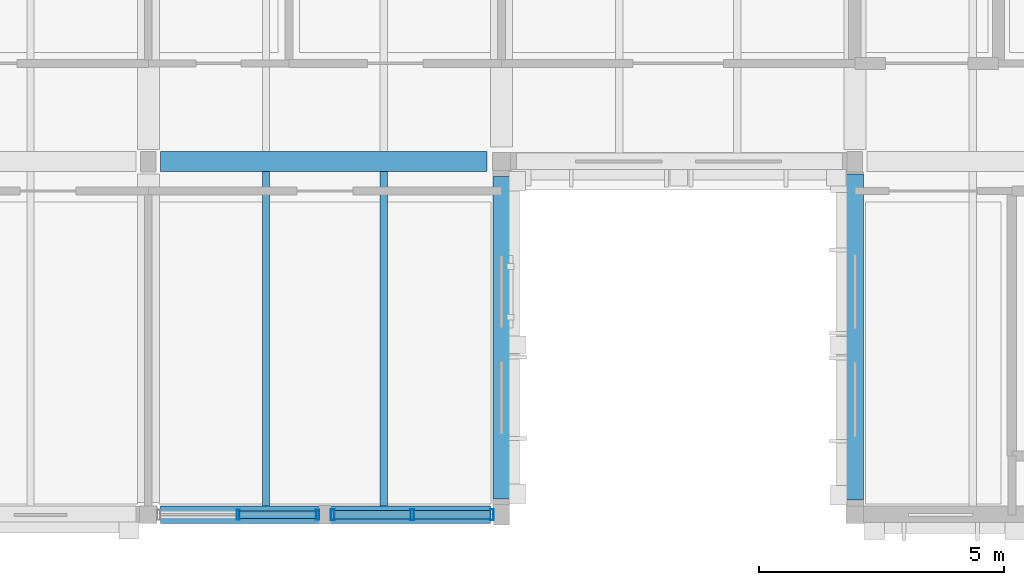
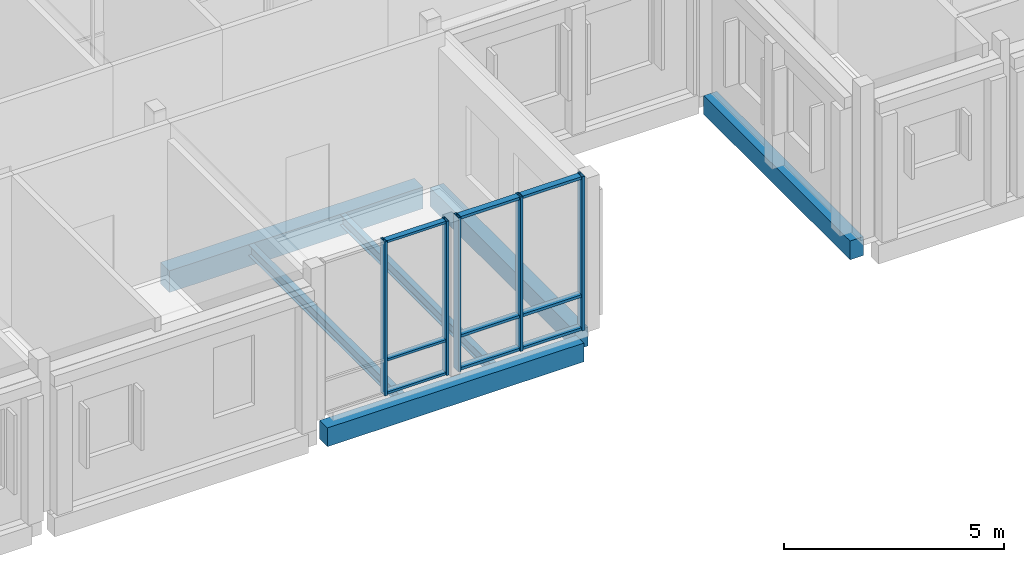
# One storey, part 28 of 146: 14 members, 6 beams, 2 elements without a shape of their own.
"""IFC4 building model written with IfcOpenShell, lengths in metres."""

import ifcopenshell
import ifcopenshell.guid

model = None  # the IFC model being written
_history = None  # IfcOwnerHistory: only IFC2X3 demands one
_inside = {}  # id of a spatial element -> (the spatial element, [elements in it])
_under = {}  # id of a project, library or spatial element -> (it, [spatial elements below it])
_declared = {}  # id of a project -> (the project, [libraries it declares])
_typed = {}  # id of a type object -> (the type object, [elements of that type])
_made_of = {}  # id of a material, layer set ... -> (it, [elements and type objects made of it])


def new_model(schema):
    """Start an empty IFC model of exactly this schema.

    Asked for "IFC4X3", IfcOpenShell would pick the latest addendum, in which some entities
    have other attributes; the version numbers below select the first issue.
    IFC2X3 requires an IfcOwnerHistory on every rooted entity: one is made here for all.
    """
    global model, _history
    if schema == "IFC4X3":
        model = ifcopenshell.file(schema_version=(4, 3, 0, 0))
    else:
        model = ifcopenshell.file(schema=schema)
    _inside.clear()
    _under.clear()
    _declared.clear()
    _typed.clear()
    _made_of.clear()
    _history = None
    if model.schema == "IFC2X3":
        org = make("IfcOrganization", Name="unknown")
        user = make(
            "IfcPersonAndOrganization",
            ThePerson=make("IfcPerson", FamilyName="unknown"),
            TheOrganization=org,
        )
        app = make(
            "IfcApplication",
            ApplicationDeveloper=org,
            Version="unknown",
            ApplicationFullName="unknown",
            ApplicationIdentifier="unknown",
        )
        _history = make(
            "IfcOwnerHistory",
            OwningUser=user,
            OwningApplication=app,
            ChangeAction="ADDED",
            CreationDate=0,
        )
    return model


def make(cls, **values):
    """One entity of the class cls with the attributes given. An attribute that is None is left unset."""
    return model.create_entity(
        cls, **{name: value for name, value in values.items() if value is not None}
    )


def rooted(cls, **values):
    """An entity with a GlobalId (a new one), such as an element, a storey or a relation."""
    return make(cls, GlobalId=ifcopenshell.guid.new(), OwnerHistory=_history, **values)


def si_unit(unit_type, name, prefix=None):
    """IfcSIUnit, for example si_unit("LENGTHUNIT", "METRE", prefix="MILLI")."""
    return make("IfcSIUnit", UnitType=unit_type, Prefix=prefix, Name=name)


def assignment(units):
    """IfcUnitAssignment: the units of a project."""
    return None if units is None else make("IfcUnitAssignment", Units=units)


def point(xyz):
    """IfcCartesianPoint."""
    return None if xyz is None else make("IfcCartesianPoint", Coordinates=xyz)


def direction(xyz):
    """IfcDirection."""
    return None if xyz is None else make("IfcDirection", DirectionRatios=xyz)


def frame(location, z_axis=None, x_axis=None):
    """IfcAxis2Placement3D, a coordinate frame: its origin and axes. An axis left out is left unset."""
    return make(
        "IfcAxis2Placement3D",
        Location=point(location),
        Axis=direction(z_axis),
        RefDirection=direction(x_axis),
    )


def frame_2d(location, x_axis=None):
    """IfcAxis2Placement2D, a coordinate frame in the plane: its origin and x axis."""
    return make(
        "IfcAxis2Placement2D", Location=point(location), RefDirection=direction(x_axis)
    )


def origin():
    """The frame at (0, 0, 0) with its axes left unset."""
    return frame((0.0, 0.0, 0.0))


def origin_2d():
    """The frame at (0, 0) in the plane with its x axis left unset."""
    return frame_2d((0.0, 0.0))


def place(relative_to, where):
    """IfcLocalPlacement: puts the frame where relative to a parent placement (None: the world)."""
    return make(
        "IfcLocalPlacement", PlacementRelTo=relative_to, RelativePlacement=where
    )


def context(
    kind, dimensions, precision=None, world=None, true_north=None, identifier=None
):
    """IfcGeometricRepresentationContext, for example the 3D "Model" context."""
    return make(
        "IfcGeometricRepresentationContext",
        ContextIdentifier=identifier,
        ContextType=kind,
        CoordinateSpaceDimension=dimensions,
        Precision=precision,
        WorldCoordinateSystem=world,
        TrueNorth=true_north,
    )


def subcontext(parent, identifier, kind, view, scale=None):
    """IfcGeometricRepresentationSubContext, for example "Body" below "Model"."""
    return make(
        "IfcGeometricRepresentationSubContext",
        ContextIdentifier=identifier,
        ContextType=kind,
        ParentContext=parent,
        TargetScale=scale,
        TargetView=view,
    )


def project(units=None, contexts=None):
    """IfcProject with its units and contexts."""
    return rooted(
        "IfcProject",
        Name="project",
        RepresentationContexts=contexts,
        UnitsInContext=assignment(units),
    )


def spatial(cls, under=None, at=None, **own):
    """A site, building, storey or space (cls), placed at a placement, below another one or the project."""
    s = rooted(cls, ObjectPlacement=at, **own)
    if under is not None:
        _under.setdefault(under.id(), (under, []))[1].append(s)
    return s


def profile(cls, at=None, kind="AREA", **sizes):
    """A parametric profile (cls). Its sizes go by their IFC names, for example OverallWidth=200.0."""
    return make(cls, ProfileType=kind, Position=at, **sizes)


def rectangle(**sizes):
    """IfcRectangleProfileDef."""
    return profile("IfcRectangleProfileDef", **sizes)


def hollow_rectangle(**sizes):
    """IfcRectangleHollowProfileDef."""
    return profile("IfcRectangleHollowProfileDef", **sizes)


def i_section(**sizes):
    """IfcIShapeProfileDef."""
    return profile("IfcIShapeProfileDef", **sizes)


def extrude(swept, where, along, depth):
    """IfcExtrudedAreaSolid: the profile swept, set in the frame where, extruded along a direction by depth."""
    return make(
        "IfcExtrudedAreaSolid",
        SweptArea=swept,
        Position=where,
        ExtrudedDirection=direction(along),
        Depth=depth,
    )


def shape(context_of_items, identifier, shape_type, items):
    """IfcShapeRepresentation: the items that make up one representation, for example the "Body"."""
    return make(
        "IfcShapeRepresentation",
        ContextOfItems=context_of_items,
        RepresentationIdentifier=identifier,
        RepresentationType=shape_type,
        Items=items,
    )


def material(Name=None, Category=None):
    """IfcMaterial."""
    return make("IfcMaterial", Name=Name, Category=Category)


def material_profile(
    of_material, cross_section, Name=None, Category=None, Priority=None
):
    """IfcMaterialProfile: a cross section and its material."""
    return make(
        "IfcMaterialProfile",
        Name=Name,
        Material=of_material,
        Profile=cross_section,
        Priority=Priority,
        Category=Category,
    )


def profile_set(profiles, Name=None, composite=None):
    """IfcMaterialProfileSet."""
    return make(
        "IfcMaterialProfileSet",
        Name=Name,
        MaterialProfiles=profiles,
        CompositeProfile=composite,
    )


def made_of(thing, what):
    """Note that an element or type object is made of a material, layer set ...; save() writes the relation."""
    if what is not None:
        _made_of.setdefault(what.id(), (what, []))[1].append(thing)
    return thing


def type_object(cls, material=None, **own):
    """A type object (cls), such as IfcWallType, which elements share."""
    return made_of(rooted(cls, **own), material)


def element(
    cls,
    number,
    at=None,
    inside=None,
    cuts=None,
    type_object=None,
    material=None,
    context=None,
    identifier="Body",
    shape_type=None,
    held_by="IfcProductDefinitionShape",
    body=None,
    shapes=None,
    **own,
):
    """One element of the class cls, such as IfcWall. Its Tag is "e" and its number.

    at: its placement. inside: the storey or other place that contains it. cuts: it is an
    opening in that element (IfcRelVoidsElement). A single representation is given by context,
    identifier, shape_type and body (its items); several are given by shapes. held_by: the class
    of the entity that holds the representations. save() writes the other relations.
    """
    e = rooted(cls, Tag="e%d" % number, ObjectPlacement=at, **own)
    if body is not None:
        shapes = [shape(context, identifier, shape_type, body)]
    if shapes is not None:
        e.Representation = make(held_by, Representations=shapes)
    if inside is not None:
        _inside.setdefault(inside.id(), (inside, []))[1].append(e)
    if cuts is not None:
        rooted(
            "IfcRelVoidsElement", RelatingBuildingElement=cuts, RelatedOpeningElement=e
        )
    if type_object is not None:
        _typed.setdefault(type_object.id(), (type_object, []))[1].append(e)
    return made_of(e, material)


def aggregate(whole, parts):
    """IfcRelAggregates: a whole, such as a stair, and the parts it consists of."""
    return rooted("IfcRelAggregates", RelatingObject=whole, RelatedObjects=parts)


def save(model, path):
    """Write the relations noted so far, then the file.

    IfcRelAggregates (storeys below a building ...), IfcRelContainedInSpatialStructure (elements
    in a storey), IfcRelDefinesByType, IfcRelAssociatesMaterial and IfcRelDeclares: one each for
    every whole, place, type object, material and project.
    """
    for whole, parts in _under.values():
        aggregate(whole, parts)
    for where, things in _inside.values():
        rooted(
            "IfcRelContainedInSpatialStructure",
            RelatedElements=things,
            RelatingStructure=where,
        )
    for kind, things in _typed.values():
        rooted("IfcRelDefinesByType", RelatedObjects=things, RelatingType=kind)
    for what, things in _made_of.values():
        rooted("IfcRelAssociatesMaterial", RelatedObjects=things, RelatingMaterial=what)
    for by, libraries in _declared.values():
        rooted("IfcRelDeclares", RelatingContext=by, RelatedDefinitions=libraries)
    model.write(path)


model = new_model("IFC4")

# Units and contexts
model_context = context("Model", 3, precision=1e-05, world=origin(), true_north=direction((0.0, 1.0)))
body_context = subcontext(model_context, "Body", "Model", "MODEL_VIEW")
ifc_project = project(units=[si_unit("LENGTHUNIT", "METRE"), si_unit("AREAUNIT", "SQUARE_METRE"), si_unit("VOLUMEUNIT", "CUBIC_METRE"), si_unit("PLANEANGLEUNIT", "RADIAN"), si_unit("MASSUNIT", "GRAM", prefix="KILO")], contexts=[model_context])

# Site, building, storey
site_placement = place(None, origin())
site = spatial("IfcSite", under=ifc_project, at=site_placement, CompositionType="ELEMENT")
building_placement = place(site_placement, origin())
building = spatial("IfcBuilding", under=site, at=building_placement, Name="Hawrajan Terrace Health Centre", CompositionType="ELEMENT")
storey_placement = place(building_placement, frame((0.0, 0.0, 4.5)))
storey = spatial("IfcBuildingStorey", under=building, at=storey_placement, Name="L01", CompositionType="ELEMENT", Elevation=4.5)

# Curtain wall, members
ifc_material_1 = material(Name="Anodized bronze aluminium and low-E solar glazing", Category="aluminium")
curtain_wall_type_1 = type_object("IfcCurtainWallType", Name="CW_Pavilion_SeriesE2", PredefinedType="USERDEFINED", material=ifc_material_1)
curtain_wall_1_placement = place(storey_placement, origin())
curtain_wall_1 = element("IfcCurtainWall", 1, at=curtain_wall_1_placement, inside=storey, type_object=curtain_wall_type_1, Name="Curtain wall CW-L01-061", ObjectType="UNITISED CURTAIN WALL", PredefinedType="USERDEFINED")
ifc_material_2 = material(Name="Anodized bronze aluminium 6063-T6", Category="aluminium")
ifc_material_profile_1 = material_profile(ifc_material_2, hollow_rectangle(XDim=0.06494140625, YDim=0.199951171875, WallThickness=0.00439453125, at=origin_2d()), Name="CW MUL 65x200")
ifc_profile_set_1 = profile_set([ifc_material_profile_1], Name="Anodized bronze aluminium 6063-T6")
member_type_1 = type_object("IfcMemberType", Name="CWMullion_65x200", PredefinedType="MULLION", material=ifc_profile_set_1)
member_1_placement = place(storey_placement, frame((35.22998046875, 4.199951171875, -0.0048828125), z_axis=(0.0, 0.0, 1.0), x_axis=(1.0, 0.0, 0.0)))
member_1 = element("IfcMember", 2, at=member_1_placement, type_object=member_type_1, Name="Mullion CW-L01-061-M2", PredefinedType="MULLION", context=body_context, shape_type="SweptSolid", body=[
    extrude(hollow_rectangle(XDim=0.06494140625, YDim=0.199951171875, WallThickness=0.00439453125, at=origin_2d()), origin(), (0.0, 0.0, 1.0), 4.269775390625),
])
member_2_placement = place(storey_placement, frame((36.847412109375, 4.199951171875, -0.0048828125), z_axis=(0.0, 0.0, 1.0), x_axis=(1.0, 0.0, 0.0)))
member_2 = element("IfcMember", 3, at=member_2_placement, type_object=member_type_1, Name="Mullion CW-L01-061-M3", PredefinedType="MULLION", context=body_context, shape_type="SweptSolid", body=[
    extrude(hollow_rectangle(XDim=0.06494140625, YDim=0.199951171875, WallThickness=0.00439453125, at=origin_2d()), origin(), (0.0, 0.0, 1.0), 4.269775390625),
])

curtain_wall_type_2 = type_object("IfcCurtainWallType", Name="CW_Garden_SeriesF1", PredefinedType="USERDEFINED", material=ifc_material_1)
curtain_wall_2_placement = place(storey_placement, origin())
curtain_wall_2 = element("IfcCurtainWall", 4, at=curtain_wall_2_placement, inside=storey, type_object=curtain_wall_type_2, Name="Curtain wall CW-L01-062", ObjectType="UNITISED CURTAIN WALL", PredefinedType="USERDEFINED")
ifc_material_profile_2 = material_profile(ifc_material_2, hollow_rectangle(XDim=0.074951171875, YDim=0.219970703125, WallThickness=0.0048828125, at=origin_2d()), Name="CW MUL 75x220")
ifc_profile_set_2 = profile_set([ifc_material_profile_2], Name="Anodized bronze aluminium 6063-T6")
member_type_2 = type_object("IfcMemberType", Name="CWMullion_75x220", PredefinedType="MULLION", material=ifc_profile_set_2)
member_3_placement = place(storey_placement, frame((37.157470703125, 4.199951171875, -0.0048828125), z_axis=(0.0, 0.0, 1.0), x_axis=(1.0, 0.0, 0.0)))
member_3 = element("IfcMember", 5, at=member_3_placement, type_object=member_type_2, Name="Mullion CW-L01-062-M1", PredefinedType="MULLION", context=body_context, shape_type="SweptSolid", body=[
    extrude(hollow_rectangle(XDim=0.074951171875, YDim=0.219970703125, WallThickness=0.0048828125, at=origin_2d()), origin(), (0.0, 0.0, 1.0), 4.269775390625),
])
member_4_placement = place(storey_placement, frame((38.780029296875, 4.199951171875, -0.0048828125), z_axis=(0.0, 0.0, 1.0), x_axis=(1.0, 0.0, 0.0)))
member_4 = element("IfcMember", 6, at=member_4_placement, type_object=member_type_2, Name="Mullion CW-L01-062-M2", PredefinedType="MULLION", context=body_context, shape_type="SweptSolid", body=[
    extrude(hollow_rectangle(XDim=0.074951171875, YDim=0.219970703125, WallThickness=0.0048828125, at=origin_2d()), origin(), (0.0, 0.0, 1.0), 4.269775390625),
])
member_5_placement = place(storey_placement, frame((40.402587890625, 4.199951171875, -0.0048828125), z_axis=(0.0, 0.0, 1.0), x_axis=(1.0, 0.0, 0.0)))
member_5 = element("IfcMember", 7, at=member_5_placement, type_object=member_type_2, Name="Mullion CW-L01-062-M3", PredefinedType="MULLION", context=body_context, shape_type="SweptSolid", body=[
    extrude(hollow_rectangle(XDim=0.074951171875, YDim=0.219970703125, WallThickness=0.0048828125, at=origin_2d()), origin(), (0.0, 0.0, 1.0), 4.269775390625),
])

# Member
ifc_material_profile_3 = material_profile(ifc_material_2, hollow_rectangle(XDim=0.06494140625, YDim=0.14990234375, WallThickness=0.00390625, at=origin_2d()), Name="CW TRN 65x150")
ifc_profile_set_3 = profile_set([ifc_material_profile_3], Name="Anodized bronze aluminium 6063-T6")
member_type_3 = type_object("IfcMemberType", Name="CWTransom_65x150", PredefinedType="USERDEFINED", material=ifc_profile_set_3)
member_6_placement = place(storey_placement, frame((35.256591796875, 4.199951171875, 0.032470703125), z_axis=(1.0, 0.0, 0.0), x_axis=(0.0, 0.0, 1.0)))
member_6 = element("IfcMember", 8, at=member_6_placement, type_object=member_type_3, Name="Transom CW-L01-061-T2-1", ObjectType="TRANSOM", PredefinedType="USERDEFINED", context=body_context, shape_type="SweptSolid", body=[
    extrude(hollow_rectangle(XDim=0.06494140625, YDim=0.14990234375, WallThickness=0.00390625, at=origin_2d()), origin(), (0.0, 0.0, 1.0), 1.564453125),
])

member_7_placement = place(storey_placement, frame((35.256591796875, 4.199951171875, 0.949951171875), z_axis=(1.0, 0.0, 0.0), x_axis=(0.0, 0.0, 1.0)))
member_7 = element("IfcMember", 9, at=member_7_placement, type_object=member_type_3, Name="Transom CW-L01-061-T2-2", ObjectType="TRANSOM", PredefinedType="USERDEFINED", context=body_context, shape_type="SweptSolid", body=[
    extrude(hollow_rectangle(XDim=0.06494140625, YDim=0.14990234375, WallThickness=0.00390625, at=origin_2d()), origin(), (0.0, 0.0, 1.0), 1.564453125),
])

member_8_placement = place(storey_placement, frame((35.256591796875, 4.199951171875, 4.2275390625), z_axis=(1.0, 0.0, 0.0), x_axis=(0.0, 0.0, 1.0)))
member_8 = element("IfcMember", 10, at=member_8_placement, type_object=member_type_3, Name="Transom CW-L01-061-T2-3", ObjectType="TRANSOM", PredefinedType="USERDEFINED", context=body_context, shape_type="SweptSolid", body=[
    extrude(hollow_rectangle(XDim=0.06494140625, YDim=0.14990234375, WallThickness=0.00390625, at=origin_2d()), origin(), (0.0, 0.0, 1.0), 1.564453125),
])

aggregate(curtain_wall_1, [member_1, member_2, member_6, member_7, member_8])

ifc_material_profile_4 = material_profile(ifc_material_2, hollow_rectangle(XDim=0.074951171875, YDim=0.169921875, WallThickness=0.00439453125, at=origin_2d()), Name="CW TRN 75x170")
ifc_profile_set_4 = profile_set([ifc_material_profile_4], Name="Anodized bronze aluminium 6063-T6")
member_type_4 = type_object("IfcMemberType", Name="CWTransom_75x170", PredefinedType="USERDEFINED", material=ifc_profile_set_4)
member_9_placement = place(storey_placement, frame((37.18896484375, 4.199951171875, 0.03759765625), z_axis=(1.0, 0.0, 0.0), x_axis=(0.0, 0.0, 1.0)))
member_9 = element("IfcMember", 11, at=member_9_placement, type_object=member_type_4, Name="Transom CW-L01-062-T1-1", ObjectType="TRANSOM", PredefinedType="USERDEFINED", context=body_context, shape_type="SweptSolid", body=[
    extrude(hollow_rectangle(XDim=0.074951171875, YDim=0.169921875, WallThickness=0.00439453125, at=origin_2d()), origin(), (0.0, 0.0, 1.0), 1.5595703125),
])

member_10_placement = place(storey_placement, frame((37.18896484375, 4.199951171875, 0.949951171875), z_axis=(1.0, 0.0, 0.0), x_axis=(0.0, 0.0, 1.0)))
member_10 = element("IfcMember", 12, at=member_10_placement, type_object=member_type_4, Name="Transom CW-L01-062-T1-2", ObjectType="TRANSOM", PredefinedType="USERDEFINED", context=body_context, shape_type="SweptSolid", body=[
    extrude(hollow_rectangle(XDim=0.074951171875, YDim=0.169921875, WallThickness=0.00439453125, at=origin_2d()), origin(), (0.0, 0.0, 1.0), 1.5595703125),
])

member_11_placement = place(storey_placement, frame((37.18896484375, 4.199951171875, 4.222412109375), z_axis=(1.0, 0.0, 0.0), x_axis=(0.0, 0.0, 1.0)))
member_11 = element("IfcMember", 13, at=member_11_placement, type_object=member_type_4, Name="Transom CW-L01-062-T1-3", ObjectType="TRANSOM", PredefinedType="USERDEFINED", context=body_context, shape_type="SweptSolid", body=[
    extrude(hollow_rectangle(XDim=0.074951171875, YDim=0.169921875, WallThickness=0.00439453125, at=origin_2d()), origin(), (0.0, 0.0, 1.0), 1.5595703125),
])

member_12_placement = place(storey_placement, frame((38.8115234375, 4.199951171875, 0.03759765625), z_axis=(1.0, 0.0, 0.0), x_axis=(0.0, 0.0, 1.0)))
member_12 = element("IfcMember", 14, at=member_12_placement, type_object=member_type_4, Name="Transom CW-L01-062-T2-1", ObjectType="TRANSOM", PredefinedType="USERDEFINED", context=body_context, shape_type="SweptSolid", body=[
    extrude(hollow_rectangle(XDim=0.074951171875, YDim=0.169921875, WallThickness=0.00439453125, at=origin_2d()), origin(), (0.0, 0.0, 1.0), 1.5595703125),
])

member_13_placement = place(storey_placement, frame((38.8115234375, 4.199951171875, 0.949951171875), z_axis=(1.0, 0.0, 0.0), x_axis=(0.0, 0.0, 1.0)))
member_13 = element("IfcMember", 15, at=member_13_placement, type_object=member_type_4, Name="Transom CW-L01-062-T2-2", ObjectType="TRANSOM", PredefinedType="USERDEFINED", context=body_context, shape_type="SweptSolid", body=[
    extrude(hollow_rectangle(XDim=0.074951171875, YDim=0.169921875, WallThickness=0.00439453125, at=origin_2d()), origin(), (0.0, 0.0, 1.0), 1.5595703125),
])

member_14_placement = place(storey_placement, frame((38.8115234375, 4.199951171875, 4.222412109375), z_axis=(1.0, 0.0, 0.0), x_axis=(0.0, 0.0, 1.0)))
member_14 = element("IfcMember", 16, at=member_14_placement, type_object=member_type_4, Name="Transom CW-L01-062-T2-3", ObjectType="TRANSOM", PredefinedType="USERDEFINED", context=body_context, shape_type="SweptSolid", body=[
    extrude(hollow_rectangle(XDim=0.074951171875, YDim=0.169921875, WallThickness=0.00439453125, at=origin_2d()), origin(), (0.0, 0.0, 1.0), 1.5595703125),
])

aggregate(curtain_wall_2, [member_3, member_4, member_5, member_9, member_10, member_11, member_12, member_13, member_14])

# Beams
ifc_material_3 = material(Name="Concrete C40/50", Category="concrete")
ifc_material_profile_5 = material_profile(ifc_material_3, rectangle(XDim=0.39990234375, YDim=0.60009765625, at=origin_2d()), Name="RC BM 400x600")
ifc_profile_set_5 = profile_set([ifc_material_profile_5], Name="Concrete C40/50")
beam_type_1 = type_object("IfcBeamType", Name="RCGirder_400x600", PredefinedType="BEAM", material=ifc_profile_set_5)
beam_1_placement = place(storey_placement, frame((33.64990234375, 11.39990234375, -0.60009765625), z_axis=(1.0, 0.0, 0.0), x_axis=(0.0, 1.0, 0.0)))
element("IfcBeam", 17, at=beam_1_placement, inside=storey, type_object=beam_type_1, Name="Beam BM-X-L01-W-05-Y2", PredefinedType="BEAM", context=body_context, shape_type="SweptSolid", body=[
    extrude(rectangle(XDim=0.39990234375, YDim=0.60009765625, at=origin_2d()), origin(), (0.0, 0.0, 1.0), 6.650146484375),
])
ifc_material_profile_6 = material_profile(ifc_material_3, rectangle(XDim=0.35009765625, YDim=0.52001953125, at=origin_2d()), Name="RC SP 350x520")
ifc_profile_set_6 = profile_set([ifc_material_profile_6], Name="Concrete C40/50")
beam_type_2 = type_object("IfcBeamType", Name="RCSpandrel_350x520", PredefinedType="SPANDREL", material=ifc_profile_set_6)
beam_2_placement = place(storey_placement, frame((33.64990234375, 4.199951171875, -0.56005859375), z_axis=(1.0, 0.0, 0.0), x_axis=(0.0, 1.0, 0.0)))
element("IfcBeam", 18, at=beam_2_placement, inside=storey, type_object=beam_type_2, Name="Beam BM-X-L01-W-05-Y1", PredefinedType="SPANDREL", context=body_context, shape_type="SweptSolid", body=[
    extrude(rectangle(XDim=0.35009765625, YDim=0.52001953125, at=origin_2d()), origin(), (0.0, 0.0, 1.0), 6.72509765625),
])
beam_3_placement = place(storey_placement, frame((40.60009765625, 4.52490234375, -0.56005859375), z_axis=(0.0, 1.0, 0.0), x_axis=(-1.0, 0.0, 0.0)))
element("IfcBeam", 19, at=beam_3_placement, inside=storey, type_object=beam_type_2, Name="Beam BM-Y-L01-W-X06-1", PredefinedType="SPANDREL", context=body_context, shape_type="SweptSolid", body=[
    extrude(rectangle(XDim=0.35009765625, YDim=0.52001953125, at=origin_2d()), origin(), (0.0, 0.0, 1.0), 6.5751953125),
])
beam_4_placement = place(storey_placement, frame((47.800048828125, 4.5, -0.56005859375), z_axis=(0.0, 1.0, 0.0), x_axis=(-1.0, 0.0, 0.0)))
element("IfcBeam", 20, at=beam_4_placement, inside=storey, type_object=beam_type_2, Name="Beam BM-Y-L01-W-X07-1", PredefinedType="SPANDREL", context=body_context, shape_type="SweptSolid", body=[
    extrude(rectangle(XDim=0.35009765625, YDim=0.52001953125, at=origin_2d()), origin(), (0.0, 0.0, 1.0), 6.64990234375),
])
ifc_material_4 = material(Name="Steel S355", Category="steel")
ifc_material_profile_7 = material_profile(ifc_material_4, i_section(OverallWidth=0.14990234375, OverallDepth=0.300048828125, WebThickness=0.007080078125, FlangeThickness=0.0107421875, FilletRadius=0.014892578125, at=origin_2d()), Name="IPE 300")
ifc_profile_set_7 = profile_set([ifc_material_profile_7], Name="Steel S355")
beam_type_3 = type_object("IfcBeamType", Name="SteelBeam_IPE300", PredefinedType="JOIST", material=ifc_profile_set_7)
for number, where, z_axis, x_axis, name in (
    (21, (35.800048828125, 4.375, -0.449951171875), (0.0, 1.0, 0.0), (-1.0, 0.0, 0.0), "Secondary joist JST-L01-W-05-1-1"),
    (22, (38.199951171875, 4.375, -0.449951171875), (0.0, 1.0, 0.0), (-1.0, 0.0, 0.0), "Secondary joist JST-L01-W-05-1-2"),
):
    element("IfcBeam", number, at=place(storey_placement, frame(where, z_axis=z_axis, x_axis=x_axis)), inside=storey, type_object=beam_type_3, Name=name, PredefinedType="JOIST", context=body_context, shape_type="SweptSolid", body=[
        extrude(i_section(OverallWidth=0.14990234375, OverallDepth=0.300048828125, WebThickness=0.007080078125, FlangeThickness=0.0107421875, FilletRadius=0.014892578125, at=origin_2d()), origin(), (0.0, 0.0, 1.0), 6.824951171875),
    ])

save(model, "model.ifc")
